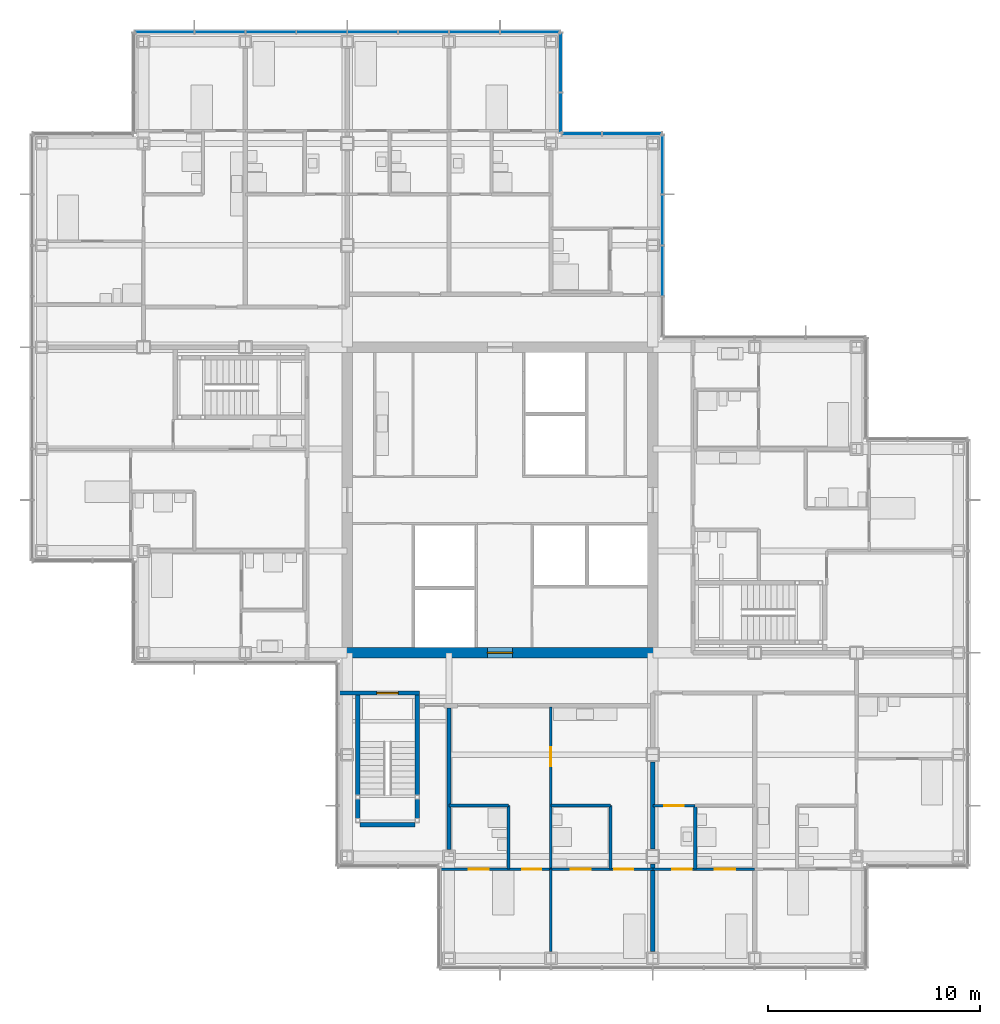
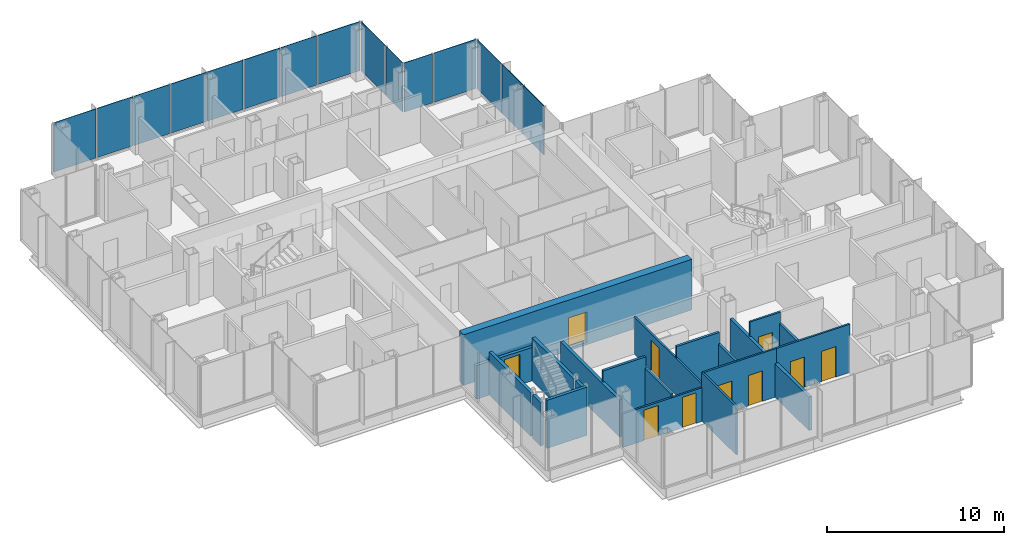
# One storey, part 13 of 20: 21 walls, 15 plates, 10 doors, 10 openings, 4 elements without a shape of their own.
"""IFC4 building model written with IfcOpenShell, lengths in metres."""

from ifc_helpers import new_model, si_unit, direction, frame, frame_2d, origin, origin_2d, place, context, subcontext, project, spatial, rectangle, extrude, material, layer, layer_set, type_object, element, fill, aggregate, save


model = new_model("IFC4")

# Units and contexts
model_context = context("Model", 3, precision=1e-05, world=origin(), true_north=direction((0.0, 1.0)))
body_context = subcontext(model_context, "Body", "Model", "MODEL_VIEW")
ifc_project = project(units=[si_unit("LENGTHUNIT", "METRE"), si_unit("AREAUNIT", "SQUARE_METRE"), si_unit("VOLUMEUNIT", "CUBIC_METRE"), si_unit("PLANEANGLEUNIT", "RADIAN"), si_unit("MASSUNIT", "GRAM", prefix="KILO")], contexts=[model_context])

# Site, building, storey
site_placement = place(None, origin())
site = spatial("IfcSite", under=ifc_project, at=site_placement, CompositionType="ELEMENT")
building_placement = place(site_placement, origin())
building = spatial("IfcBuilding", under=site, at=building_placement, Name="Kvirike Care Tower", CompositionType="ELEMENT")
storey_placement = place(building_placement, frame((0.0, 0.0, 122.5)))
storey = spatial("IfcBuildingStorey", under=building, at=storey_placement, Name="L33", CompositionType="ELEMENT", Elevation=122.5)

# Curtain wall, plates
ifc_material_1 = material(Name="Anodised aluminium stick system", Category="aluminium")
curtain_wall_type = type_object("IfcCurtainWallType", Name="CW-B STICK CURTAIN WALL", PredefinedType="NOTDEFINED", material=ifc_material_1)
curtain_wall_1_placement = place(storey_placement, origin())
curtain_wall_1 = element("IfcCurtainWall", 1, at=curtain_wall_1_placement, inside=storey, type_object=curtain_wall_type, Name="Curtain wall L33 face 5", PredefinedType="NOTDEFINED")
ifc_material_2 = material(Name="Tinted double glazed unit", Category="glass")
ifc_layer_1 = layer(ifc_material_2, 0.035888671875)
ifc_layer_set_1 = layer_set([ifc_layer_1], Name="TINTED VISION PANEL 36")
plate_type = type_object("IfcPlateType", Name="TINTED VISION PANEL 36", PredefinedType="CURTAIN_PANEL", material=ifc_layer_set_1)
plate_1_placement = place(storey_placement, frame((29.260009765625, 46.800048828125, 0.10009765625), z_axis=(0.0, 0.0, 1.0), x_axis=(0.0, 1.0, 0.0)))
plate_1 = element("IfcPlate", 2, at=plate_1_placement, type_object=plate_type, Name="CW-B panel L33 face 5.2", PredefinedType="CURTAIN_PANEL", context=body_context, shape_type="SweptSolid", body=[
    extrude(rectangle(XDim=2.3349609375, YDim=0.035888671875, at=origin_2d()), origin(), (0.0, 0.0, 1.0), 3.39990234375),
])
plate_2_placement = place(storey_placement, frame((29.260009765625, 49.199951171875, 0.10009765625), z_axis=(0.0, 0.0, 1.0), x_axis=(0.0, 1.0, 0.0)))
plate_2 = element("IfcPlate", 3, at=plate_2_placement, type_object=plate_type, Name="CW-B panel L33 face 5.3", PredefinedType="CURTAIN_PANEL", context=body_context, shape_type="SweptSolid", body=[
    extrude(rectangle(XDim=2.3349609375, YDim=0.035888671875, at=origin_2d()), origin(), (0.0, 0.0, 1.0), 3.39990234375),
])
plate_3_placement = place(storey_placement, frame((29.260009765625, 51.813720703125, 0.10009765625), z_axis=(0.0, 0.0, 1.0), x_axis=(0.0, 1.0, 0.0)))
plate_3 = element("IfcPlate", 4, at=plate_3_placement, type_object=plate_type, Name="CW-B panel L33 face 5.4", PredefinedType="CURTAIN_PANEL", context=body_context, shape_type="SweptSolid", body=[
    extrude(rectangle(XDim=2.762451171875, YDim=0.035888671875, at=origin_2d()), origin(), (0.0, 0.0, 1.0), 3.39990234375),
])
aggregate(curtain_wall_1, [plate_1, plate_2, plate_3])

curtain_wall_2_placement = place(storey_placement, origin())
curtain_wall_2 = element("IfcCurtainWall", 5, at=curtain_wall_2_placement, inside=storey, type_object=curtain_wall_type, Name="Curtain wall L33 face 6", PredefinedType="NOTDEFINED")
plate_4_placement = place(storey_placement, frame((27.813720703125, 53.260009765625, 0.10009765625), z_axis=(0.0, 0.0, 1.0), x_axis=(-1.0, 0.0, 0.0)))
plate_4 = element("IfcPlate", 6, at=plate_4_placement, type_object=plate_type, Name="CW-B panel L33 face 6.1", PredefinedType="CURTAIN_PANEL", context=body_context, shape_type="SweptSolid", body=[
    extrude(rectangle(XDim=2.762451171875, YDim=0.035888671875, at=origin_2d()), origin(), (0.0, 0.0, 1.0), 3.39990234375),
])
plate_5_placement = place(storey_placement, frame((25.4462890625, 53.260009765625, 0.10009765625), z_axis=(0.0, 0.0, 1.0), x_axis=(-1.0, 0.0, 0.0)))
plate_5 = element("IfcPlate", 7, at=plate_5_placement, type_object=plate_type, Name="CW-B panel L33 face 6.2", PredefinedType="CURTAIN_PANEL", context=body_context, shape_type="SweptSolid", body=[
    extrude(rectangle(XDim=1.842529296875, YDim=0.035888671875, at=origin_2d()), origin(), (0.0, 0.0, 1.0), 3.39990234375),
])
aggregate(curtain_wall_2, [plate_4, plate_5])

curtain_wall_3_placement = place(storey_placement, origin())
curtain_wall_3 = element("IfcCurtainWall", 8, at=curtain_wall_3_placement, inside=storey, type_object=curtain_wall_type, Name="Curtain wall L33 face 7", PredefinedType="NOTDEFINED")
plate_6_placement = place(storey_placement, frame((24.4599609375, 54.246337890625, 0.10009765625), z_axis=(0.0, 0.0, 1.0), x_axis=(0.0, 1.0, 0.0)))
plate_6 = element("IfcPlate", 9, at=plate_6_placement, type_object=plate_type, Name="CW-B panel L33 face 7.1", PredefinedType="CURTAIN_PANEL", context=body_context, shape_type="SweptSolid", body=[
    extrude(rectangle(XDim=1.842529296875, YDim=0.035888671875, at=origin_2d()), origin(), (0.0, 0.0, 1.0), 3.39990234375),
])
plate_7_placement = place(storey_placement, frame((24.4599609375, 56.61376953125, 0.10009765625), z_axis=(0.0, 0.0, 1.0), x_axis=(0.0, 1.0, 0.0)))
plate_7 = element("IfcPlate", 10, at=plate_7_placement, type_object=plate_type, Name="CW-B panel L33 face 7.2", PredefinedType="CURTAIN_PANEL", context=body_context, shape_type="SweptSolid", body=[
    extrude(rectangle(XDim=2.762451171875, YDim=0.035888671875, at=origin_2d()), origin(), (0.0, 0.0, 1.0), 3.39990234375),
])
aggregate(curtain_wall_3, [plate_6, plate_7])

curtain_wall_4_placement = place(storey_placement, origin())
curtain_wall_4 = element("IfcCurtainWall", 11, at=curtain_wall_4_placement, inside=storey, type_object=curtain_wall_type, Name="Curtain wall L33 face 8", PredefinedType="NOTDEFINED")
plate_8_placement = place(storey_placement, frame((23.013671875, 58.06005859375, 0.10009765625), z_axis=(0.0, 0.0, 1.0), x_axis=(-1.0, 0.0, 0.0)))
plate_8 = element("IfcPlate", 12, at=plate_8_placement, type_object=plate_type, Name="CW-B panel L33 face 8.1", PredefinedType="CURTAIN_PANEL", context=body_context, shape_type="SweptSolid", body=[
    extrude(rectangle(XDim=2.762451171875, YDim=0.035888671875, at=origin_2d()), origin(), (0.0, 0.0, 1.0), 3.39990234375),
])
plate_9_placement = place(storey_placement, frame((20.39990234375, 58.06005859375, 0.10009765625), z_axis=(0.0, 0.0, 1.0), x_axis=(-1.0, 0.0, 0.0)))
plate_9 = element("IfcPlate", 13, at=plate_9_placement, type_object=plate_type, Name="CW-B panel L33 face 8.2", PredefinedType="CURTAIN_PANEL", context=body_context, shape_type="SweptSolid", body=[
    extrude(rectangle(XDim=2.3349609375, YDim=0.035888671875, at=origin_2d()), origin(), (0.0, 0.0, 1.0), 3.39990234375),
])
plate_10_placement = place(storey_placement, frame((18.0, 58.06005859375, 0.10009765625), z_axis=(0.0, 0.0, 1.0), x_axis=(-1.0, 0.0, 0.0)))
plate_10 = element("IfcPlate", 14, at=plate_10_placement, type_object=plate_type, Name="CW-B panel L33 face 8.3", PredefinedType="CURTAIN_PANEL", context=body_context, shape_type="SweptSolid", body=[
    extrude(rectangle(XDim=2.3349609375, YDim=0.035888671875, at=origin_2d()), origin(), (0.0, 0.0, 1.0), 3.39990234375),
])
plate_11_placement = place(storey_placement, frame((15.60009765625, 58.06005859375, 0.10009765625), z_axis=(0.0, 0.0, 1.0), x_axis=(-1.0, 0.0, 0.0)))
plate_11 = element("IfcPlate", 15, at=plate_11_placement, type_object=plate_type, Name="CW-B panel L33 face 8.4", PredefinedType="CURTAIN_PANEL", context=body_context, shape_type="SweptSolid", body=[
    extrude(rectangle(XDim=2.3349609375, YDim=0.035888671875, at=origin_2d()), origin(), (0.0, 0.0, 1.0), 3.39990234375),
])
plate_12_placement = place(storey_placement, frame((13.199951171875, 58.06005859375, 0.10009765625), z_axis=(0.0, 0.0, 1.0), x_axis=(-1.0, 0.0, 0.0)))
plate_12 = element("IfcPlate", 16, at=plate_12_placement, type_object=plate_type, Name="CW-B panel L33 face 8.5", PredefinedType="CURTAIN_PANEL", context=body_context, shape_type="SweptSolid", body=[
    extrude(rectangle(XDim=2.3349609375, YDim=0.035888671875, at=origin_2d()), origin(), (0.0, 0.0, 1.0), 3.39990234375),
])
plate_13_placement = place(storey_placement, frame((10.800048828125, 58.06005859375, 0.10009765625), z_axis=(0.0, 0.0, 1.0), x_axis=(-1.0, 0.0, 0.0)))
plate_13 = element("IfcPlate", 17, at=plate_13_placement, type_object=plate_type, Name="CW-B panel L33 face 8.6", PredefinedType="CURTAIN_PANEL", context=body_context, shape_type="SweptSolid", body=[
    extrude(rectangle(XDim=2.3349609375, YDim=0.035888671875, at=origin_2d()), origin(), (0.0, 0.0, 1.0), 3.39990234375),
])
plate_14_placement = place(storey_placement, frame((8.39990234375, 58.06005859375, 0.10009765625), z_axis=(0.0, 0.0, 1.0), x_axis=(-1.0, 0.0, 0.0)))
plate_14 = element("IfcPlate", 18, at=plate_14_placement, type_object=plate_type, Name="CW-B panel L33 face 8.7", PredefinedType="CURTAIN_PANEL", context=body_context, shape_type="SweptSolid", body=[
    extrude(rectangle(XDim=2.3349609375, YDim=0.035888671875, at=origin_2d()), origin(), (0.0, 0.0, 1.0), 3.39990234375),
])
plate_15_placement = place(storey_placement, frame((5.7861328125, 58.06005859375, 0.10009765625), z_axis=(0.0, 0.0, 1.0), x_axis=(-1.0, 0.0, 0.0)))
plate_15 = element("IfcPlate", 19, at=plate_15_placement, type_object=plate_type, Name="CW-B panel L33 face 8.8", PredefinedType="CURTAIN_PANEL", context=body_context, shape_type="SweptSolid", body=[
    extrude(rectangle(XDim=2.762451171875, YDim=0.035888671875, at=origin_2d()), origin(), (0.0, 0.0, 1.0), 3.39990234375),
])
aggregate(curtain_wall_4, [plate_8, plate_9, plate_10, plate_11, plate_12, plate_13, plate_14, plate_15])

# Walls
ifc_material_3 = material(Name="Moisture-resistant board partition", Category="gypsum")
ifc_layer_2 = layer(ifc_material_3, 0.14990234375)
ifc_layer_set_2 = layer_set([ifc_layer_2], Name="BATHROOM WALL 150")
wall_type_1 = type_object("IfcWallType", Name="BATHROOM WALL 150", PredefinedType="PARTITIONING", material=ifc_layer_set_2)
wall_1_placement = place(storey_placement, frame((22.0, 18.60009765625, 0.0), z_axis=(0.0, 0.0, 1.0), x_axis=(0.0, 1.0, 0.0)))
element("IfcWall", 20, at=wall_1_placement, inside=storey, type_object=wall_type_1, Name="Bathroom Wall 150 L33", PredefinedType="PARTITIONING", context=body_context, shape_type="SweptSolid", body=[
    extrude(rectangle(XDim=3.0, YDim=0.14990234375, at=frame_2d((1.5, 0.0))), origin(), (0.0, 0.0, 1.0), 2.550048828125),
])
wall_2_placement = place(storey_placement, frame((19.199951171875, 21.60009765625, 0.0), z_axis=(0.0, 0.0, 1.0), x_axis=(1.0, 0.0, 0.0)))
element("IfcWall", 21, at=wall_2_placement, inside=storey, type_object=wall_type_1, Name="Bathroom Wall 150 L33", PredefinedType="PARTITIONING", context=body_context, shape_type="SweptSolid", body=[
    extrude(rectangle(XDim=2.800048828125, YDim=0.14990234375, at=frame_2d((1.39990234375, 0.0))), origin(), (0.0, 0.0, 1.0), 3.330078125),
])
wall_3_placement = place(storey_placement, frame((26.800048828125, 18.60009765625, 0.0), z_axis=(0.0, 0.0, 1.0), x_axis=(0.0, 1.0, 0.0)))
element("IfcWall", 22, at=wall_3_placement, inside=storey, type_object=wall_type_1, Name="Bathroom Wall 150 L33", PredefinedType="PARTITIONING", context=body_context, shape_type="SweptSolid", body=[
    extrude(rectangle(XDim=3.0, YDim=0.14990234375, at=frame_2d((1.5, 0.0))), origin(), (0.0, 0.0, 1.0), 2.550048828125),
])
wall_4_placement = place(storey_placement, frame((24.0, 21.60009765625, 0.0), z_axis=(0.0, 0.0, 1.0), x_axis=(1.0, 0.0, 0.0)))
element("IfcWall", 23, at=wall_4_placement, inside=storey, type_object=wall_type_1, Name="Bathroom Wall 150 L33", PredefinedType="PARTITIONING", context=body_context, shape_type="SweptSolid", body=[
    extrude(rectangle(XDim=2.800048828125, YDim=0.14990234375, at=frame_2d((1.39990234375, 0.0))), origin(), (0.0, 0.0, 1.0), 3.330078125),
])
wall_5_placement = place(storey_placement, frame((30.800048828125, 18.60009765625, 0.0), z_axis=(0.0, 0.0, 1.0), x_axis=(0.0, 1.0, 0.0)))
element("IfcWall", 24, at=wall_5_placement, inside=storey, type_object=wall_type_1, Name="Bathroom Wall 150 L33", PredefinedType="PARTITIONING", context=body_context, shape_type="SweptSolid", body=[
    extrude(rectangle(XDim=3.0, YDim=0.14990234375, at=frame_2d((1.5, 0.0))), origin(), (0.0, 0.0, 1.0), 2.550048828125),
])

# Wall, opening, door
ifc_material_4 = material(Name="Concrete C50/60", Category="concrete")
ifc_layer_3 = layer(ifc_material_4, 0.5)
ifc_layer_set_3 = layer_set([ifc_layer_3], Name="CORE WALL 500 C50-60")
wall_type_2 = type_object("IfcWallType", Name="CORE WALL 500 C50-60", PredefinedType="SHEAR", material=ifc_layer_set_3)
wall_6_placement = place(storey_placement, frame((14.14990234375, 28.800048828125, -0.169921875), z_axis=(0.0, 0.0, 1.0), x_axis=(1.0, 0.0, 0.0)))
wall_6 = element("IfcWall", 25, at=wall_6_placement, inside=storey, type_object=wall_type_2, Name="Core wall S L33", PredefinedType="SHEAR", context=body_context, shape_type="SweptSolid", body=[
    extrude(rectangle(XDim=14.900146484375, YDim=0.5, at=frame_2d((7.4501953125, 0.0))), origin(), (0.0, 0.0, 1.0), 3.5),
])
opening_1_placement = place(wall_6_placement, frame((6.85009765625, 0.0, 0.169921875)))
opening_1 = element("IfcOpeningElement", 26, at=opening_1_placement, cuts=wall_6, Name="Opening 33-068", PredefinedType="OPENING", context=body_context, shape_type="SweptSolid", body=[
    extrude(rectangle(XDim=1.199951171875, YDim=2.10009765625, at=frame_2d((0.60009765625, 1.050048828125))), frame((0.0, 0.260498046875, 0.0), z_axis=(0.0, -1.0, 0.0), x_axis=(1.0, 0.0, 0.0)), (0.0, 0.0, 1.0), 0.52099609375),
])
ifc_material_5 = material(Name="Timber door set", Category="wood")
door_type_1 = type_object("IfcDoorType", Name="CORE DOOR 1200", OperationType="SINGLE_SWING_LEFT", PredefinedType="DOOR", material=ifc_material_5)
door_1_placement = place(opening_1_placement, origin())
door_1 = element("IfcDoor", 27, at=door_1_placement, inside=storey, type_object=door_type_1, Name="Core door S L33", OperationType="SINGLE_SWING_LEFT", OverallHeight=2.10009765625, OverallWidth=1.199951171875, PredefinedType="DOOR", context=body_context, shape_type="SweptSolid", body=[
    extrude(rectangle(XDim=1.199951171875, YDim=2.10009765625, at=frame_2d((0.60009765625, 1.050048828125))), frame((0.0, 0.02685546875, 0.0), z_axis=(0.0, -1.0, 0.0), x_axis=(1.0, 0.0, 0.0)), (0.0, 0.0, 1.0), 0.053955078125),
])
fill(opening_1, door_1)

ifc_material_6 = material(Name="Plasterboard partition", Category="gypsum")
ifc_layer_4 = layer(ifc_material_6, 0.1201171875)
ifc_layer_set_4 = layer_set([ifc_layer_4], Name="PARTITION 120")
wall_type_3 = type_object("IfcWallType", Name="PARTITION 120", PredefinedType="PARTITIONING", material=ifc_layer_set_4)
wall_7_placement = place(storey_placement, frame((24.0, 18.60009765625, 0.0), z_axis=(0.0, 0.0, 1.0), x_axis=(0.0, 1.0, 0.0)))
wall_7 = element("IfcWall", 28, at=wall_7_placement, inside=storey, type_object=wall_type_3, Name="Partition 120 L33", PredefinedType="PARTITIONING", context=body_context, shape_type="SweptSolid", body=[
    extrude(rectangle(XDim=7.64990234375, YDim=0.1201171875, at=frame_2d((3.824951171875, 0.0))), origin(), (0.0, 0.0, 1.0), 2.550048828125),
])
opening_2_placement = place(wall_7_placement, frame((4.85009765625, 0.0, 0.0)))
opening_2 = element("IfcOpeningElement", 29, at=opening_2_placement, cuts=wall_7, Name="Opening 33-020", PredefinedType="OPENING", context=body_context, shape_type="SweptSolid", body=[
    extrude(rectangle(XDim=0.89990234375, YDim=2.10009765625, at=frame_2d((0.449951171875, 1.050048828125))), frame((0.0, 0.070556640625, 0.0), z_axis=(0.0, -1.0, 0.0), x_axis=(1.0, 0.0, 0.0)), (0.0, 0.0, 1.0), 0.14111328125),
])
ifc_material_7 = material(Name="Timber door set", Category="wood")
door_type_2 = type_object("IfcDoorType", Name="INTERNAL DOOR 900", OperationType="SINGLE_SWING_LEFT", PredefinedType="DOOR", material=ifc_material_7)
door_2_placement = place(opening_2_placement, frame((0.89990234375, 0.0, 0.0), z_axis=(0.0, 0.0, 1.0), x_axis=(-1.0, 0.0, 0.0)))
door_2 = element("IfcDoor", 30, at=door_2_placement, inside=storey, type_object=door_type_2, Name="Hall door", OperationType="SINGLE_SWING_LEFT", OverallHeight=2.10009765625, OverallWidth=0.89990234375, PredefinedType="DOOR", context=body_context, shape_type="SweptSolid", body=[
    extrude(rectangle(XDim=0.89990234375, YDim=2.10009765625, at=frame_2d((0.449951171875, 1.050048828125))), frame((0.0, 0.02197265625, 0.0), z_axis=(0.0, -1.0, 0.0), x_axis=(1.0, 0.0, 0.0)), (0.0, 0.0, 1.0), 0.0439453125),
])
fill(opening_2, door_2)

# Wall, openings, doors
wall_8_placement = place(storey_placement, frame((18.760009765625, 18.60009765625, 0.0), z_axis=(0.0, 0.0, 1.0), x_axis=(1.0, 0.0, 0.0)))
wall_8 = element("IfcWall", 31, at=wall_8_placement, inside=storey, type_object=wall_type_3, Name="Partition 120 L33", PredefinedType="PARTITIONING", context=body_context, shape_type="SweptSolid", body=[
    extrude(rectangle(XDim=5.239990234375, YDim=0.1201171875, at=frame_2d((2.6201171875, 0.0))), origin(), (0.0, 0.0, 1.0), 2.320068359375),
])
opening_3_placement = place(wall_8_placement, frame((3.889892578125, 0.0, 0.0)))
opening_3 = element("IfcOpeningElement", 32, at=opening_3_placement, cuts=wall_8, Name="Opening 33-021", PredefinedType="OPENING", context=body_context, shape_type="SweptSolid", body=[
    extrude(rectangle(XDim=0.89990234375, YDim=2.10009765625, at=frame_2d((0.449951171875, 1.050048828125))), frame((0.0, 0.070556640625, 0.0), z_axis=(0.0, -1.0, 0.0), x_axis=(1.0, 0.0, 0.0)), (0.0, 0.0, 1.0), 0.14111328125),
])
opening_4_placement = place(wall_8_placement, frame((1.364990234375, 0.0, 0.0)))
opening_4 = element("IfcOpeningElement", 33, at=opening_4_placement, cuts=wall_8, Name="Opening 33-022", PredefinedType="OPENING", context=body_context, shape_type="SweptSolid", body=[
    extrude(rectangle(XDim=0.949951171875, YDim=2.10009765625, at=frame_2d((0.47509765625, 1.050048828125))), frame((0.0, 0.070556640625, 0.0), z_axis=(0.0, -1.0, 0.0), x_axis=(1.0, 0.0, 0.0)), (0.0, 0.0, 1.0), 0.14111328125),
])
ifc_material_8 = material(Name="Timber door set", Category="wood")
door_type_3 = type_object("IfcDoorType", Name="EN-SUITE SLIDING DOOR 950", OperationType="SLIDING_TO_LEFT", PredefinedType="DOOR", material=ifc_material_8)
door_3_placement = place(opening_4_placement, origin())
door_3 = element("IfcDoor", 34, at=door_3_placement, inside=storey, type_object=door_type_3, Name="En-suite door", OperationType="SLIDING_TO_LEFT", OverallHeight=2.10009765625, OverallWidth=0.949951171875, PredefinedType="DOOR", context=body_context, shape_type="SweptSolid", body=[
    extrude(rectangle(XDim=0.949951171875, YDim=2.10009765625, at=frame_2d((0.47509765625, 1.050048828125))), frame((0.0, 0.02197265625, 0.0), z_axis=(0.0, -1.0, 0.0), x_axis=(1.0, 0.0, 0.0)), (0.0, 0.0, 1.0), 0.0439453125),
])
fill(opening_4, door_3)
door_4_placement = place(opening_3_placement, frame((0.89990234375, 0.0, 0.0), z_axis=(0.0, 0.0, 1.0), x_axis=(-1.0, 0.0, 0.0)))
door_4 = element("IfcDoor", 35, at=door_4_placement, inside=storey, type_object=door_type_2, Name="Assisted living suite door", OperationType="SINGLE_SWING_LEFT", OverallHeight=2.10009765625, OverallWidth=0.89990234375, PredefinedType="DOOR", context=body_context, shape_type="SweptSolid", body=[
    extrude(rectangle(XDim=0.89990234375, YDim=2.10009765625, at=frame_2d((0.449951171875, 1.050048828125))), frame((0.0, 0.02197265625, 0.0), z_axis=(0.0, -1.0, 0.0), x_axis=(1.0, 0.0, 0.0)), (0.0, 0.0, 1.0), 0.0439453125),
])
fill(opening_3, door_4)

wall_9_placement = place(storey_placement, frame((24.0, 18.60009765625, 0.0), z_axis=(0.0, 0.0, 1.0), x_axis=(1.0, 0.0, 0.0)))
wall_9 = element("IfcWall", 36, at=wall_9_placement, inside=storey, type_object=wall_type_3, Name="Partition 120 L33", PredefinedType="PARTITIONING", context=body_context, shape_type="SweptSolid", body=[
    extrude(rectangle(XDim=4.800048828125, YDim=0.1201171875, at=frame_2d((2.39990234375, 0.0))), origin(), (0.0, 0.0, 1.0), 3.330078125),
])
opening_5_placement = place(wall_9_placement, frame((2.97509765625, 0.0, 0.0)))
opening_5 = element("IfcOpeningElement", 37, at=opening_5_placement, cuts=wall_9, Name="Opening 33-023", PredefinedType="OPENING", context=body_context, shape_type="SweptSolid", body=[
    extrude(rectangle(XDim=0.89990234375, YDim=2.10009765625, at=frame_2d((0.449951171875, 1.050048828125))), frame((0.0, 0.070556640625, 0.0), z_axis=(0.0, -1.0, 0.0), x_axis=(1.0, 0.0, 0.0)), (0.0, 0.0, 1.0), 0.14111328125),
])
opening_6_placement = place(wall_9_placement, frame((0.925048828125, 0.0, 0.0)))
opening_6 = element("IfcOpeningElement", 38, at=opening_6_placement, cuts=wall_9, Name="Opening 33-024", PredefinedType="OPENING", context=body_context, shape_type="SweptSolid", body=[
    extrude(rectangle(XDim=0.949951171875, YDim=2.10009765625, at=frame_2d((0.47509765625, 1.050048828125))), frame((0.0, 0.070556640625, 0.0), z_axis=(0.0, -1.0, 0.0), x_axis=(1.0, 0.0, 0.0)), (0.0, 0.0, 1.0), 0.14111328125),
])
door_5_placement = place(opening_6_placement, origin())
door_5 = element("IfcDoor", 39, at=door_5_placement, inside=storey, type_object=door_type_3, Name="En-suite door", OperationType="SLIDING_TO_RIGHT", OverallHeight=2.10009765625, OverallWidth=0.949951171875, PredefinedType="DOOR", context=body_context, shape_type="SweptSolid", body=[
    extrude(rectangle(XDim=0.949951171875, YDim=2.10009765625, at=frame_2d((0.47509765625, 1.050048828125))), frame((0.0, 0.02197265625, 0.0), z_axis=(0.0, -1.0, 0.0), x_axis=(1.0, 0.0, 0.0)), (0.0, 0.0, 1.0), 0.0439453125),
])
fill(opening_6, door_5)
door_6_placement = place(opening_5_placement, frame((0.89990234375, 0.0, 0.0), z_axis=(0.0, 0.0, 1.0), x_axis=(-1.0, 0.0, 0.0)))
door_6 = element("IfcDoor", 40, at=door_6_placement, inside=storey, type_object=door_type_2, Name="Assisted living suite door", OperationType="SINGLE_SWING_RIGHT", OverallHeight=2.10009765625, OverallWidth=0.89990234375, PredefinedType="DOOR", context=body_context, shape_type="SweptSolid", body=[
    extrude(rectangle(XDim=0.89990234375, YDim=2.10009765625, at=frame_2d((0.449951171875, 1.050048828125))), frame((0.0, 0.02197265625, 0.0), z_axis=(0.0, -1.0, 0.0), x_axis=(1.0, 0.0, 0.0)), (0.0, 0.0, 1.0), 0.0439453125),
])
fill(opening_5, door_6)

# Wall
wall_10_placement = place(storey_placement, frame((24.0, 14.719970703125, 0.0), z_axis=(0.0, 0.0, 1.0), x_axis=(0.0, 1.0, 0.0)))
element("IfcWall", 41, at=wall_10_placement, inside=storey, type_object=wall_type_3, Name="Partition 120 L33", PredefinedType="PARTITIONING", context=body_context, shape_type="SweptSolid", body=[
    extrude(rectangle(XDim=3.880126953125, YDim=0.1201171875, at=frame_2d((1.93994140625, 0.0))), origin(), (0.0, 0.0, 1.0), 3.330078125),
])

# Wall, opening, door
wall_11_placement = place(storey_placement, frame((28.800048828125, 21.60009765625, 0.0), z_axis=(0.0, 0.0, 1.0), x_axis=(1.0, 0.0, 0.0)))
wall_11 = element("IfcWall", 42, at=wall_11_placement, inside=storey, type_object=wall_type_3, Name="Partition 120 L33", PredefinedType="PARTITIONING", context=body_context, shape_type="SweptSolid", body=[
    extrude(rectangle(XDim=2.0, YDim=0.1201171875, at=frame_2d((1.0, 0.0))), origin(), (0.0, 0.0, 1.0), 3.330078125),
])
opening_7_placement = place(wall_11_placement, frame((0.550048828125, 0.0, 0.0)))
opening_7 = element("IfcOpeningElement", 43, at=opening_7_placement, cuts=wall_11, Name="Opening 33-038", PredefinedType="OPENING", context=body_context, shape_type="SweptSolid", body=[
    extrude(rectangle(XDim=0.89990234375, YDim=2.10009765625, at=frame_2d((0.449951171875, 1.050048828125))), frame((0.0, 0.070556640625, 0.0), z_axis=(0.0, -1.0, 0.0), x_axis=(1.0, 0.0, 0.0)), (0.0, 0.0, 1.0), 0.14111328125),
])
door_7_placement = place(opening_7_placement, frame((0.89990234375, 0.0, 0.0), z_axis=(0.0, 0.0, 1.0), x_axis=(-1.0, 0.0, 0.0)))
door_7 = element("IfcDoor", 44, at=door_7_placement, inside=storey, type_object=door_type_2, Name="Kitchen door", OperationType="SINGLE_SWING_RIGHT", OverallHeight=2.10009765625, OverallWidth=0.89990234375, PredefinedType="DOOR", context=body_context, shape_type="SweptSolid", body=[
    extrude(rectangle(XDim=0.89990234375, YDim=2.10009765625, at=frame_2d((0.449951171875, 1.050048828125))), frame((0.0, 0.02197265625, 0.0), z_axis=(0.0, -1.0, 0.0), x_axis=(1.0, 0.0, 0.0)), (0.0, 0.0, 1.0), 0.0439453125),
])
fill(opening_7, door_7)

# Wall, openings, doors
wall_12_placement = place(storey_placement, frame((28.800048828125, 18.60009765625, 0.0), z_axis=(0.0, 0.0, 1.0), x_axis=(1.0, 0.0, 0.0)))
wall_12 = element("IfcWall", 45, at=wall_12_placement, inside=storey, type_object=wall_type_3, Name="Partition 120 L33", PredefinedType="PARTITIONING", context=body_context, shape_type="SweptSolid", body=[
    extrude(rectangle(XDim=4.800048828125, YDim=0.1201171875, at=frame_2d((2.39990234375, 0.0))), origin(), (0.0, 0.0, 1.0), 3.330078125),
])
opening_8_placement = place(wall_12_placement, frame((0.925048828125, 0.0, 0.0)))
opening_8 = element("IfcOpeningElement", 46, at=opening_8_placement, cuts=wall_12, Name="Opening 33-039", PredefinedType="OPENING", context=body_context, shape_type="SweptSolid", body=[
    extrude(rectangle(XDim=0.89990234375, YDim=2.10009765625, at=frame_2d((0.449951171875, 1.050048828125))), frame((0.0, 0.070556640625, 0.0), z_axis=(0.0, -1.0, 0.0), x_axis=(1.0, 0.0, 0.0)), (0.0, 0.0, 1.0), 0.14111328125),
])
opening_9_placement = place(wall_12_placement, frame((2.925048828125, 0.0, 0.0)))
opening_9 = element("IfcOpeningElement", 47, at=opening_9_placement, cuts=wall_12, Name="Opening 33-040", PredefinedType="OPENING", context=body_context, shape_type="SweptSolid", body=[
    extrude(rectangle(XDim=0.949951171875, YDim=2.10009765625, at=frame_2d((0.47509765625, 1.050048828125))), frame((0.0, 0.070556640625, 0.0), z_axis=(0.0, -1.0, 0.0), x_axis=(1.0, 0.0, 0.0)), (0.0, 0.0, 1.0), 0.14111328125),
])
door_8_placement = place(opening_9_placement, origin())
door_8 = element("IfcDoor", 48, at=door_8_placement, inside=storey, type_object=door_type_3, Name="En-suite door", OperationType="SLIDING_TO_RIGHT", OverallHeight=2.10009765625, OverallWidth=0.949951171875, PredefinedType="DOOR", context=body_context, shape_type="SweptSolid", body=[
    extrude(rectangle(XDim=0.949951171875, YDim=2.10009765625, at=frame_2d((0.47509765625, 1.050048828125))), frame((0.0, 0.02197265625, 0.0), z_axis=(0.0, -1.0, 0.0), x_axis=(1.0, 0.0, 0.0)), (0.0, 0.0, 1.0), 0.0439453125),
])
fill(opening_9, door_8)
door_9_placement = place(opening_8_placement, origin())
door_9 = element("IfcDoor", 49, at=door_9_placement, inside=storey, type_object=door_type_2, Name="Assisted living suite door", OperationType="SINGLE_SWING_LEFT", OverallHeight=2.10009765625, OverallWidth=0.89990234375, PredefinedType="DOOR", context=body_context, shape_type="SweptSolid", body=[
    extrude(rectangle(XDim=0.89990234375, YDim=2.10009765625, at=frame_2d((0.449951171875, 1.050048828125))), frame((0.0, 0.02197265625, 0.0), z_axis=(0.0, -1.0, 0.0), x_axis=(1.0, 0.0, 0.0)), (0.0, 0.0, 1.0), 0.0439453125),
])
fill(opening_8, door_9)

# Walls
ifc_material_9 = material(Name="Plasterboard party wall", Category="gypsum")
ifc_layer_5 = layer(ifc_material_9, 0.199951171875)
ifc_layer_set_5 = layer_set([ifc_layer_5], Name="PARTY WALL 200")
wall_type_4 = type_object("IfcWallType", Name="PARTY WALL 200", PredefinedType="PARTITIONING", material=ifc_layer_set_5)
wall_13_placement = place(storey_placement, frame((19.199951171875, 19.52001953125, 0.0), z_axis=(0.0, 0.0, 1.0), x_axis=(0.0, 1.0, 0.0)))
element("IfcWall", 50, at=wall_13_placement, inside=storey, type_object=wall_type_4, Name="Party Wall 200 L33", PredefinedType="PARTITIONING", context=body_context, shape_type="SweptSolid", body=[
    extrude(rectangle(XDim=6.679931640625, YDim=0.199951171875, at=frame_2d((3.33984375, 0.0))), origin(), (0.0, 0.0, 1.0), 2.550048828125),
])
wall_14_placement = place(storey_placement, frame((28.800048828125, 14.719970703125, 0.0), z_axis=(0.0, 0.0, 1.0), x_axis=(0.0, 1.0, 0.0)))
element("IfcWall", 51, at=wall_14_placement, inside=storey, type_object=wall_type_4, Name="Party Wall 200 L33", PredefinedType="PARTITIONING", context=body_context, shape_type="SweptSolid", body=[
    extrude(rectangle(XDim=4.135009765625, YDim=0.199951171875, at=frame_2d((2.0673828125, 0.0))), origin(), (0.0, 0.0, 1.0), 2.320068359375),
])
wall_15_placement = place(storey_placement, frame((28.800048828125, 19.544921875, 0.0), z_axis=(0.0, 0.0, 1.0), x_axis=(0.0, 1.0, 0.0)))
element("IfcWall", 52, at=wall_15_placement, inside=storey, type_object=wall_type_4, Name="Party Wall 200 L33", PredefinedType="PARTITIONING", context=body_context, shape_type="SweptSolid", body=[
    extrude(rectangle(XDim=4.110107421875, YDim=0.199951171875, at=frame_2d((2.05517578125, 0.0))), origin(), (0.0, 0.0, 1.0), 2.320068359375),
])
ifc_material_10 = material(Name="Concrete C40/50", Category="concrete")
ifc_layer_6 = layer(ifc_material_10, 0.199951171875)
ifc_layer_set_6 = layer_set([ifc_layer_6], Name="STAIR WALL 200")
wall_type_5 = type_object("IfcWallType", Name="STAIR WALL 200", PredefinedType="SOLIDWALL", material=ifc_layer_set_6)
wall_16_placement = place(storey_placement, frame((14.89990234375, 21.0, 0.0), z_axis=(0.0, 0.0, 1.0), x_axis=(0.0, 1.0, 0.0)))
element("IfcWall", 53, at=wall_16_placement, inside=storey, type_object=wall_type_5, Name="Stair Wall 200 L33", PredefinedType="SOLIDWALL", context=body_context, shape_type="SweptSolid", body=[
    extrude(rectangle(XDim=0.89990234375, YDim=0.199951171875, at=frame_2d((0.449951171875, 0.0))), origin(), (0.0, 0.0, 1.0), 2.989990234375),
])
wall_17_placement = place(storey_placement, frame((14.89990234375, 22.10009765625, 0.0), z_axis=(0.0, 0.0, 1.0), x_axis=(0.0, 1.0, 0.0)))
element("IfcWall", 54, at=wall_17_placement, inside=storey, type_object=wall_type_5, Name="Stair Wall 200 L33", PredefinedType="SOLIDWALL", context=body_context, shape_type="SweptSolid", body=[
    extrude(rectangle(XDim=4.699951171875, YDim=0.199951171875, at=frame_2d((2.35009765625, 0.0))), origin(), (0.0, 0.0, 1.0), 2.989990234375),
])
wall_18_placement = place(storey_placement, frame((17.699951171875, 21.0, 0.0), z_axis=(0.0, 0.0, 1.0), x_axis=(0.0, 1.0, 0.0)))
element("IfcWall", 55, at=wall_18_placement, inside=storey, type_object=wall_type_5, Name="Stair Wall 200 L33", PredefinedType="SOLIDWALL", context=body_context, shape_type="SweptSolid", body=[
    extrude(rectangle(XDim=0.89990234375, YDim=0.199951171875, at=frame_2d((0.449951171875, 0.0))), origin(), (0.0, 0.0, 1.0), 2.989990234375),
])
wall_19_placement = place(storey_placement, frame((17.699951171875, 22.10009765625, 0.0), z_axis=(0.0, 0.0, 1.0), x_axis=(0.0, 1.0, 0.0)))
element("IfcWall", 56, at=wall_19_placement, inside=storey, type_object=wall_type_5, Name="Stair Wall 200 L33", PredefinedType="SOLIDWALL", context=body_context, shape_type="SweptSolid", body=[
    extrude(rectangle(XDim=4.699951171875, YDim=0.199951171875, at=frame_2d((2.35009765625, 0.0))), origin(), (0.0, 0.0, 1.0), 2.989990234375),
])
wall_20_placement = place(storey_placement, frame((15.0, 20.699951171875, 0.0), z_axis=(0.0, 0.0, 1.0), x_axis=(1.0, 0.0, 0.0)))
element("IfcWall", 57, at=wall_20_placement, inside=storey, type_object=wall_type_5, Name="Stair Wall 200 L33", PredefinedType="SOLIDWALL", context=body_context, shape_type="SweptSolid", body=[
    extrude(rectangle(XDim=2.60009765625, YDim=0.199951171875, at=frame_2d((1.300048828125, 0.0))), origin(), (0.0, 0.0, 1.0), 3.330078125),
])

# Wall, opening, door
wall_21_placement = place(storey_placement, frame((13.9599609375, 26.89990234375, 0.0), z_axis=(0.0, 0.0, 1.0), x_axis=(1.0, 0.0, 0.0)))
wall_21 = element("IfcWall", 58, at=wall_21_placement, inside=storey, type_object=wall_type_5, Name="Stair Wall 200 L33", PredefinedType="SOLIDWALL", context=body_context, shape_type="SweptSolid", body=[
    extrude(rectangle(XDim=3.840087890625, YDim=0.199951171875, at=frame_2d((1.919921875, 0.0))), origin(), (0.0, 0.0, 1.0), 2.320068359375),
])
opening_10_placement = place(wall_21_placement, frame((1.840087890625, 0.0, 0.0)))
opening_10 = element("IfcOpeningElement", 59, at=opening_10_placement, cuts=wall_21, Name="Opening 33-019", PredefinedType="OPENING", context=body_context, shape_type="SweptSolid", body=[
    extrude(rectangle(XDim=1.0, YDim=2.10009765625, at=frame_2d((0.5, 1.050048828125))), frame((0.0, 0.110595703125, 0.0), z_axis=(0.0, -1.0, 0.0), x_axis=(1.0, 0.0, 0.0)), (0.0, 0.0, 1.0), 0.220947265625),
])
ifc_material_11 = material(Name="Timber door set", Category="wood")
door_type_4 = type_object("IfcDoorType", Name="STAIR DOOR 1000", OperationType="SINGLE_SWING_LEFT", PredefinedType="DOOR", material=ifc_material_11)
door_10_placement = place(opening_10_placement, frame((1.0, 0.0, 0.0), z_axis=(0.0, 0.0, 1.0), x_axis=(-1.0, 0.0, 0.0)))
door_10 = element("IfcDoor", 60, at=door_10_placement, inside=storey, type_object=door_type_4, Name="Stair 5 door", OperationType="SINGLE_SWING_LEFT", OverallHeight=2.10009765625, OverallWidth=1.0, PredefinedType="DOOR", context=body_context, shape_type="SweptSolid", body=[
    extrude(rectangle(XDim=1.0, YDim=2.10009765625, at=frame_2d((0.5, 1.050048828125))), frame((0.0, 0.031982421875, 0.0), z_axis=(0.0, -1.0, 0.0), x_axis=(1.0, 0.0, 0.0)), (0.0, 0.0, 1.0), 0.06396484375),
])
fill(opening_10, door_10)

save(model, "model.ifc")
